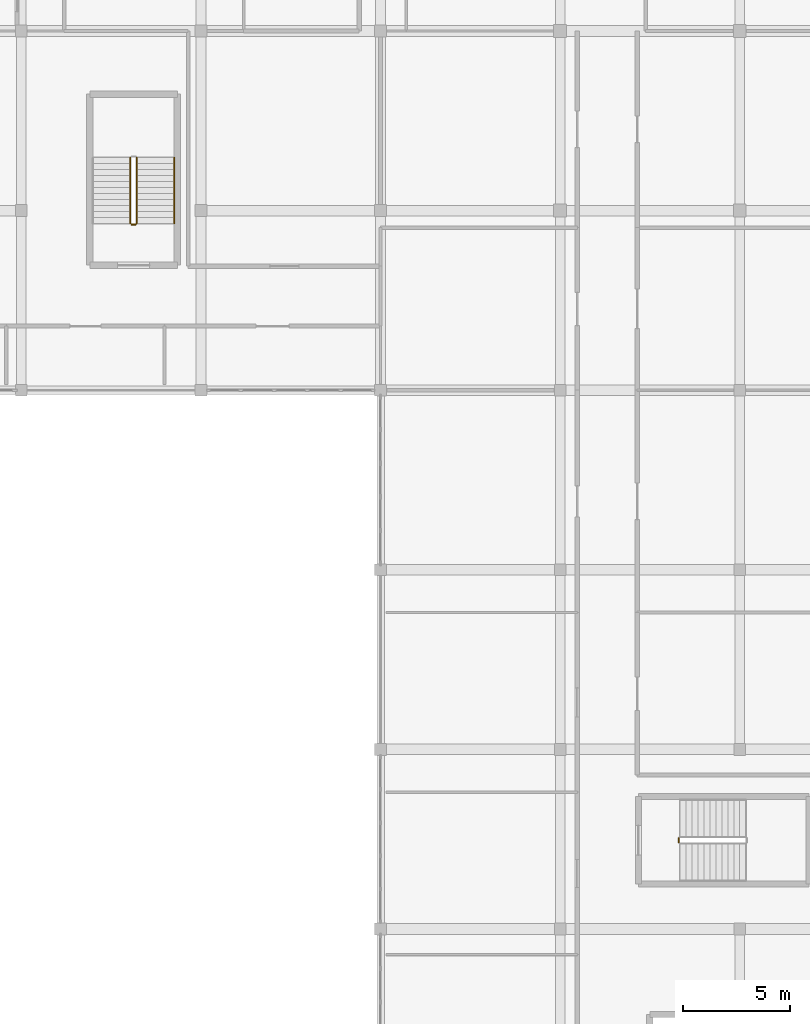
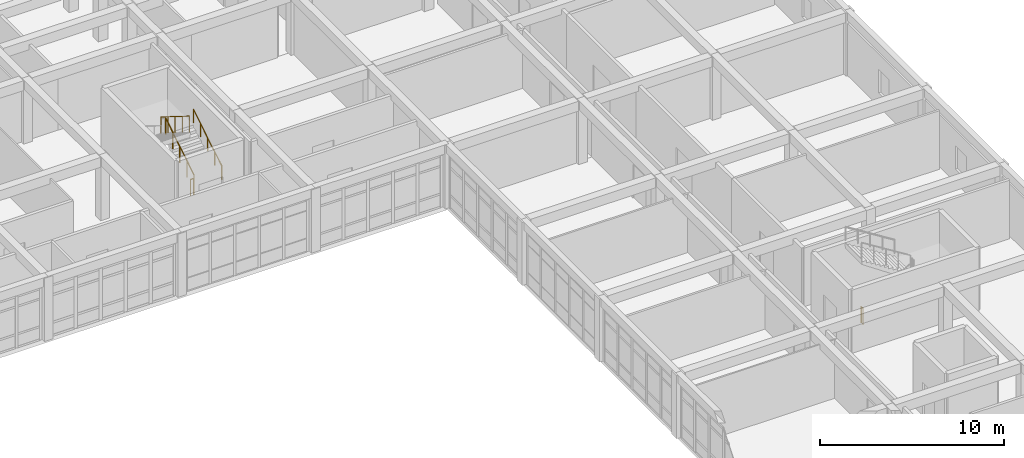
# One storey, part 74 of 77: 5 railings.
"""IFC4 building model written with IfcOpenShell, lengths in metres."""

from ifc_helpers import new_model, si_unit, direction, frame, origin, origin_2d, place, context, subcontext, project, spatial, circle, extrude, material, type_object, element, save


model = new_model("IFC4")

# Units and contexts
model_context = context("Model", 3, precision=1e-05, world=origin(), true_north=direction((0.0, 1.0)))
body_context = subcontext(model_context, "Body", "Model", "MODEL_VIEW")
ifc_project = project(units=[si_unit("LENGTHUNIT", "METRE"), si_unit("AREAUNIT", "SQUARE_METRE"), si_unit("VOLUMEUNIT", "CUBIC_METRE"), si_unit("PLANEANGLEUNIT", "RADIAN"), si_unit("MASSUNIT", "GRAM", prefix="KILO")], contexts=[model_context])

# Site, building, storey
site_placement = place(None, origin())
site = spatial("IfcSite", under=ifc_project, at=site_placement, CompositionType="ELEMENT")
building_placement = place(site_placement, origin())
building = spatial("IfcBuilding", under=site, at=building_placement, Name="Varncliffe General Hospital", CompositionType="ELEMENT")
storey_placement = place(building_placement, frame((0.0, 0.0, 16.199951171875)))
storey = spatial("IfcBuildingStorey", under=building, at=storey_placement, Name="L03", CompositionType="ELEMENT", Elevation=16.199951171875)

# Railings
ifc_material = material(Name="Powder-coated hospital steel guardrail and handrail", Category="steel")
railing_type_1 = type_object("IfcRailingType", Name="Stair and Ramp Handrail HR46", PredefinedType="HANDRAIL", material=ifc_material)
railing_1_placement = place(storey_placement, frame((141.550048828125, 90.60009765625, 0.35400390625)))
element("IfcRailing", 1, at=railing_1_placement, inside=storey, type_object=railing_type_1, Name="L03 ST14 stair handrail 1", PredefinedType="HANDRAIL", context=body_context, shape_type="SweptSolid", body=[
    extrude(circle(Radius=0.02392578125, at=origin_2d()), frame((0.0, 0.0, 0.8759765625), z_axis=(0.0, 0.847979421464, 0.530029150871), x_axis=(-1.0, 0.0, 0.0)), (0.0, 0.0, 1.0), 3.632080078125),
    extrude(circle(Radius=0.02099609375, at=origin_2d()), origin(), (0.0, 0.0, 1.0), 0.851806640625),
    extrude(circle(Radius=0.02099609375, at=origin_2d()), frame((0.0, 0.77001953125, 0.481201171875)), (0.0, 0.0, 1.0), 0.851806640625),
    extrude(circle(Radius=0.02099609375, at=origin_2d()), frame((0.0, 1.5400390625, 0.96240234375)), (0.0, 0.0, 1.0), 0.851806640625),
    extrude(circle(Radius=0.02099609375, at=origin_2d()), frame((0.0, 2.309814453125, 1.44384765625)), (0.0, 0.0, 1.0), 0.851806640625),
    extrude(circle(Radius=0.02099609375, at=origin_2d()), frame((0.0, 3.079833984375, 1.925048828125)), (0.0, 0.0, 1.0), 0.851806640625),
])
railing_type_2 = type_object("IfcRailingType", Name="Stairwell Guardrail SG49", PredefinedType="GUARDRAIL", material=ifc_material)
railing_2_placement = place(storey_placement, frame((165.14990234375, 61.64990234375, 0.0)))
element("IfcRailing", 2, at=railing_2_placement, inside=storey, type_object=railing_type_2, Name="L03 ST07 stair guard 4", PredefinedType="GUARDRAIL", context=body_context, shape_type="SweptSolid", body=[
    extrude(circle(Radius=0.02392578125, at=origin_2d()), frame((0.0, 0.0, 1.076171875), z_axis=(0.0, 1.0, 0.0), x_axis=(-1.0, 0.0, 0.0)), (0.0, 0.0, 1.0), 0.2001953125),
    extrude(circle(Radius=0.02099609375, at=origin_2d()), origin(), (0.0, 0.0, 1.0), 1.052001953125),
    extrude(circle(Radius=0.02099609375, at=origin_2d()), frame((0.0, 0.2001953125, 0.0)), (0.0, 0.0, 1.0), 1.052001953125),
])
railing_3_placement = place(storey_placement, frame((139.800048828125, 90.60009765625, 0.175048828125)))
element("IfcRailing", 3, at=railing_3_placement, inside=storey, type_object=railing_type_2, Name="L03 ST14 stair guard 1", PredefinedType="GUARDRAIL", context=body_context, shape_type="SweptSolid", body=[
    extrude(circle(Radius=0.02392578125, at=origin_2d()), frame((0.0, 0.0, 1.076171875), z_axis=(0.0, 0.847979421464, 0.530029150871), x_axis=(-1.0, 0.0, 0.0)), (0.0, 0.0, 1.0), 3.632080078125),
    extrude(circle(Radius=0.02099609375, at=origin_2d()), origin(), (0.0, 0.0, 1.0), 1.052001953125),
    extrude(circle(Radius=0.02099609375, at=origin_2d()), frame((0.0, 0.77001953125, 0.481201171875)), (0.0, 0.0, 1.0), 1.052001953125),
    extrude(circle(Radius=0.02099609375, at=origin_2d()), frame((0.0, 1.5400390625, 0.96240234375)), (0.0, 0.0, 1.0), 1.052001953125),
    extrude(circle(Radius=0.02099609375, at=origin_2d()), frame((0.0, 2.309814453125, 1.44384765625)), (0.0, 0.0, 1.0), 1.052001953125),
    extrude(circle(Radius=0.02099609375, at=origin_2d()), frame((0.0, 3.079833984375, 1.925048828125)), (0.0, 0.0, 1.0), 1.052001953125),
])
railing_4_placement = place(storey_placement, frame((139.5, 93.679931640625, 2.275146484375)))
element("IfcRailing", 4, at=railing_4_placement, inside=storey, type_object=railing_type_2, Name="L03 ST14 stair guard 3", PredefinedType="GUARDRAIL", context=body_context, shape_type="SweptSolid", body=[
    extrude(circle(Radius=0.02392578125, at=origin_2d()), frame((0.0, 0.0, 1.076171875), z_axis=(0.0, -0.848009633417, 0.529980812513), x_axis=(1.0, 0.0, 0.0)), (0.0, 0.0, 1.0), 3.6318359375),
    extrude(circle(Radius=0.02099609375, at=origin_2d()), origin(), (0.0, 0.0, 1.0), 1.052001953125),
    extrude(circle(Radius=0.02099609375, at=origin_2d()), frame((0.0, -0.77001953125, 0.481201171875)), (0.0, 0.0, 1.0), 1.052001953125),
    extrude(circle(Radius=0.02099609375, at=origin_2d()), frame((0.0, -1.5400390625, 0.96240234375)), (0.0, 0.0, 1.0), 1.052001953125),
    extrude(circle(Radius=0.02099609375, at=origin_2d()), frame((0.0, -2.309814453125, 1.443603515625)), (0.0, 0.0, 1.0), 1.052001953125),
    extrude(circle(Radius=0.02099609375, at=origin_2d()), frame((0.0, -3.079833984375, 1.9248046875)), (0.0, 0.0, 1.0), 1.052001953125),
])
railing_5_placement = place(storey_placement, frame((139.75, 90.550048828125, 0.0)))
element("IfcRailing", 5, at=railing_5_placement, inside=storey, type_object=railing_type_2, Name="L03 ST14 stair guard 4", PredefinedType="GUARDRAIL", context=body_context, shape_type="SweptSolid", body=[
    extrude(circle(Radius=0.02392578125, at=origin_2d()), frame((0.0, 0.0, 1.076171875), z_axis=(-1.0, 0.0, 0.0), x_axis=(0.0, -1.0, 0.0)), (0.0, 0.0, 1.0), 0.199951171875),
    extrude(circle(Radius=0.02099609375, at=origin_2d()), origin(), (0.0, 0.0, 1.0), 1.052001953125),
    extrude(circle(Radius=0.02099609375, at=origin_2d()), frame((-0.199951171875, 0.0, 0.0)), (0.0, 0.0, 1.0), 1.052001953125),
])

save(model, "model.ifc")
